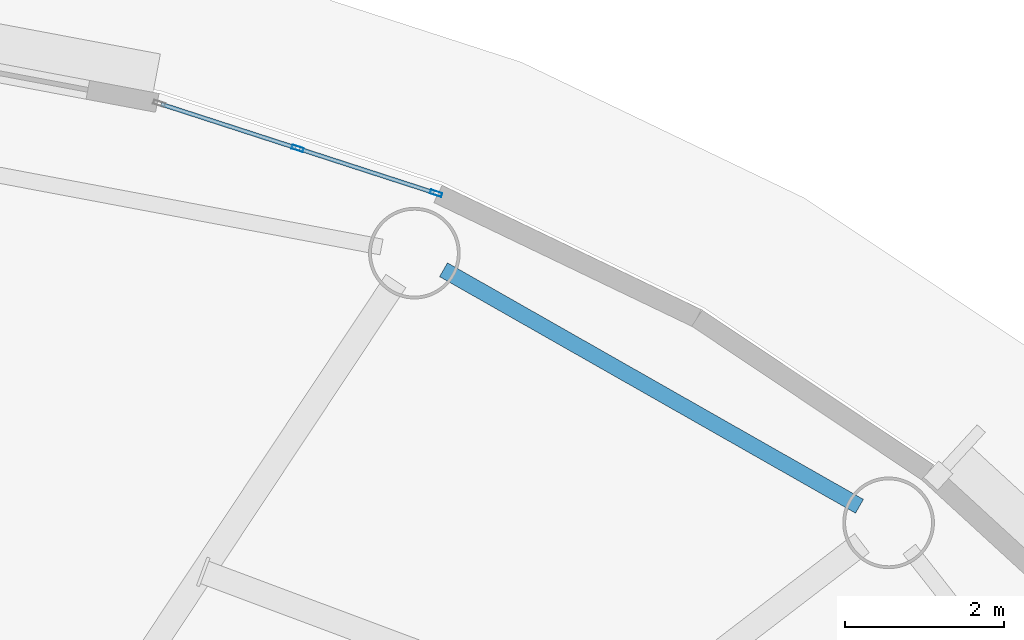
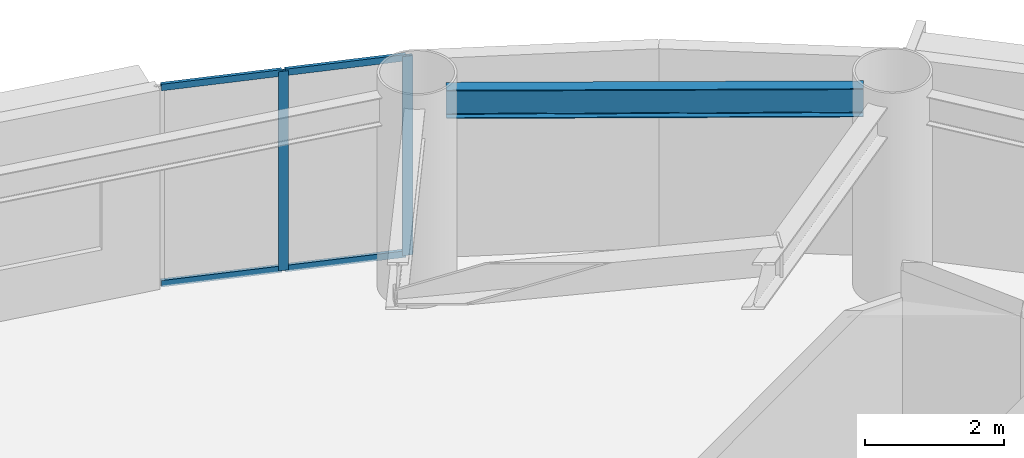
# One storey, part 5 of 19: 6 members, 1 beam, 1 element without a shape of its own.
"""IFC4 building model written with IfcOpenShell, lengths in metres."""

from ifc_helpers import new_model, si_unit, direction, frame, origin, origin_2d, place, context, subcontext, project, spatial, hollow_rectangle, i_section, extrude, source, transform, mapped, material, layer, layer_set, material_profile, profile_set, type_object, element, aggregate, save


model = new_model("IFC4")

# Units and contexts
model_context = context("Model", 3, precision=1e-05, world=origin(), true_north=direction((0.0, 1.0)))
body_context = subcontext(model_context, "Body", "Model", "MODEL_VIEW")
ifc_project = project(units=[si_unit("LENGTHUNIT", "METRE"), si_unit("AREAUNIT", "SQUARE_METRE"), si_unit("VOLUMEUNIT", "CUBIC_METRE"), si_unit("PLANEANGLEUNIT", "RADIAN"), si_unit("MASSUNIT", "GRAM", prefix="KILO")], contexts=[model_context])

# Site, building, storey
site_placement = place(None, origin())
site = spatial("IfcSite", under=ifc_project, at=site_placement, CompositionType="ELEMENT")
building_placement = place(site_placement, origin())
building = spatial("IfcBuilding", under=site, at=building_placement, Name="Linh Dai School and Residence Tower", CompositionType="ELEMENT")
storey_placement = place(building_placement, frame((0.0, 0.0, 210.300048828125)))
storey = spatial("IfcBuildingStorey", under=building, at=storey_placement, Name="L51", CompositionType="ELEMENT", Elevation=210.300048828125)

# Beam
ifc_material_1 = material(Name="Structural Steel S355JR", Category="steel")
ifc_material_profile_1 = material_profile(ifc_material_1, i_section(OverallWidth=0.199951171875, OverallDepth=0.5, WebThickness=0.01025390625, FlangeThickness=0.01611328125, FilletRadius=0.02099609375, at=origin_2d()), Name="IPE 500")
ifc_profile_set_1 = profile_set([ifc_material_profile_1], Name="Structural Steel S355JR")
beam_type = type_object("IfcBeamType", Name="BM-RB50", PredefinedType="BEAM", material=ifc_profile_set_1)
beam_placement = place(storey_placement, frame((52.318115234375, 39.988525390625, 3.25), z_axis=(-0.869297314463, 0.494289570058, 0.0), x_axis=(-0.494289570058, -0.869297314463, 0.0)))
element("IfcBeam", 1, at=beam_placement, inside=storey, type_object=beam_type, Name="L51 Perimeter Elliptical Ring Beam 03", PredefinedType="BEAM", context=body_context, shape_type="SweptSolid", body=[
    extrude(i_section(OverallWidth=0.199951171875, OverallDepth=0.5, WebThickness=0.01025390625, FlangeThickness=0.01611328125, FilletRadius=0.02099609375, at=origin_2d()), origin(), (0.0, 0.0, 1.0), 6.003173828125),
])

# Curtain wall, members
ifc_material_2 = material(Name="Aluminium Anodised Curtain Wall", Category="aluminium")
ifc_layer = layer(ifc_material_2, 0.14990234375)
ifc_layer_set = layer_set([ifc_layer], Name="Aluminium Anodised Curtain Wall")
curtain_wall_type = type_object("IfcCurtainWallType", Name="CW-SYS-4", PredefinedType="USERDEFINED", material=ifc_layer_set)
curtain_wall_placement = place(storey_placement, origin())
curtain_wall = element("IfcCurtainWall", 2, at=curtain_wall_placement, inside=storey, type_object=curtain_wall_type, Name="L51 CW4 Curtain Wall 08", ObjectType="RIBBON CURTAIN WALL", PredefinedType="USERDEFINED")
ifc_material_3 = material(Name="Aluminium Alloy 6063-T6", Category="aluminium")
ifc_material_profile_2 = material_profile(ifc_material_3, hollow_rectangle(XDim=0.052001953125, YDim=0.14990234375, WallThickness=0.00390625, at=origin_2d()), Name="RHS 150x52x4")
ifc_profile_set_2 = profile_set([ifc_material_profile_2], Name="Aluminium Alloy 6063-T6")
member_type_1 = type_object("IfcMemberType", Name="CW-SYS-4-MUL", PredefinedType="MULLION", material=ifc_profile_set_2)
shared_shape_1 = source(origin(), body_context, "Body", "SweptSolid", [
    extrude(hollow_rectangle(XDim=0.052001953125, YDim=0.14990234375, WallThickness=0.00390625, at=origin_2d()), origin(), (0.0, 0.0, 1.0), 3.5),
])
member_1_placement = place(storey_placement, frame((45.27001953125, 44.477783203125, 0.0), z_axis=(0.0, 0.0, 1.0), x_axis=(0.308501065272, 0.951223997135, 0.0)))
member_1 = element("IfcMember", 3, at=member_1_placement, type_object=member_type_1, Name="CW4 mullion 2", PredefinedType="MULLION", context=body_context, shape_type="MappedRepresentation", body=[
    mapped(shared_shape_1, transform((0.0, 0.0, 0.0), x_axis=(1.0, 0.0, 0.0), y_axis=(0.0, 1.0, 0.0), z_axis=(0.0, 0.0, 1.0), scale=1.0)),
])
member_2_placement = place(storey_placement, frame((47.00634765625, 43.91455078125, 0.0), z_axis=(0.0, 0.0, 1.0), x_axis=(0.308501065272, 0.951223997135, 0.0)))
member_2 = element("IfcMember", 4, at=member_2_placement, type_object=member_type_1, Name="CW4 mullion 3", PredefinedType="MULLION", context=body_context, shape_type="MappedRepresentation", body=[
    mapped(shared_shape_1, transform((0.0, 0.0, 0.0), x_axis=(1.0, 0.0, 0.0), y_axis=(0.0, 1.0, 0.0), z_axis=(0.0, 0.0, 1.0), scale=1.0)),
])
ifc_material_profile_3 = material_profile(ifc_material_3, hollow_rectangle(XDim=0.052001953125, YDim=0.114990234375, WallThickness=0.00390625, at=origin_2d()), Name="RHS 115x52x4")
ifc_profile_set_3 = profile_set([ifc_material_profile_3], Name="Aluminium Alloy 6063-T6")
member_type_2 = type_object("IfcMemberType", Name="CW-SYS-4-TRN", PredefinedType="USERDEFINED", material=ifc_profile_set_3)
shared_shape_2 = source(origin(), body_context, "Body", "SweptSolid", [
    extrude(hollow_rectangle(XDim=0.052001953125, YDim=0.114990234375, WallThickness=0.00390625, at=origin_2d()), origin(), (0.0, 0.0, 1.0), 1.773193359375),
])
member_3_placement = place(storey_placement, frame((43.55859375, 45.03271484375, 0.02587890625), z_axis=(0.951212990868, -0.308534999643, 0.0), x_axis=(0.308534999643, 0.951212990868, 0.0)))
member_3 = element("IfcMember", 5, at=member_3_placement, type_object=member_type_2, Name="CW4 transom 1.1", ObjectType="TRANSOM", PredefinedType="USERDEFINED", context=body_context, shape_type="MappedRepresentation", body=[
    mapped(shared_shape_2, transform((0.0, 0.0, 0.0), x_axis=(1.0, 0.0, 0.0), y_axis=(0.0, 1.0, 0.0), z_axis=(0.0, 0.0, 1.0), scale=1.0)),
])
member_4_placement = place(storey_placement, frame((43.55859375, 45.03271484375, 3.473876953125), z_axis=(0.951212990868, -0.308534999643, 0.0), x_axis=(0.308534999643, 0.951212990868, 0.0)))
member_4 = element("IfcMember", 6, at=member_4_placement, type_object=member_type_2, Name="CW4 transom 1.2", ObjectType="TRANSOM", PredefinedType="USERDEFINED", context=body_context, shape_type="MappedRepresentation", body=[
    mapped(shared_shape_2, transform((0.0, 0.0, 0.0), x_axis=(1.0, 0.0, 0.0), y_axis=(0.0, 1.0, 0.0), z_axis=(0.0, 0.0, 1.0), scale=1.0)),
])
member_5_placement = place(storey_placement, frame((45.294921875, 44.4697265625, 0.02587890625), z_axis=(0.951212990868, -0.308534999643, 0.0), x_axis=(0.308534999643, 0.951212990868, 0.0)))
member_5 = element("IfcMember", 7, at=member_5_placement, type_object=member_type_2, Name="CW4 transom 2.1", ObjectType="TRANSOM", PredefinedType="USERDEFINED", context=body_context, shape_type="MappedRepresentation", body=[
    mapped(shared_shape_2, transform((0.0, 0.0, 0.0), x_axis=(1.0, 0.0, 0.0), y_axis=(0.0, 1.0, 0.0), z_axis=(0.0, 0.0, 1.0), scale=1.0)),
])
member_6_placement = place(storey_placement, frame((45.294921875, 44.4697265625, 3.473876953125), z_axis=(0.951212990868, -0.308534999643, 0.0), x_axis=(0.308534999643, 0.951212990868, 0.0)))
member_6 = element("IfcMember", 8, at=member_6_placement, type_object=member_type_2, Name="CW4 transom 2.2", ObjectType="TRANSOM", PredefinedType="USERDEFINED", context=body_context, shape_type="MappedRepresentation", body=[
    mapped(shared_shape_2, transform((0.0, 0.0, 0.0), x_axis=(1.0, 0.0, 0.0), y_axis=(0.0, 1.0, 0.0), z_axis=(0.0, 0.0, 1.0), scale=1.0)),
])
aggregate(curtain_wall, [member_1, member_2, member_3, member_4, member_5, member_6])

save(model, "model.ifc")
